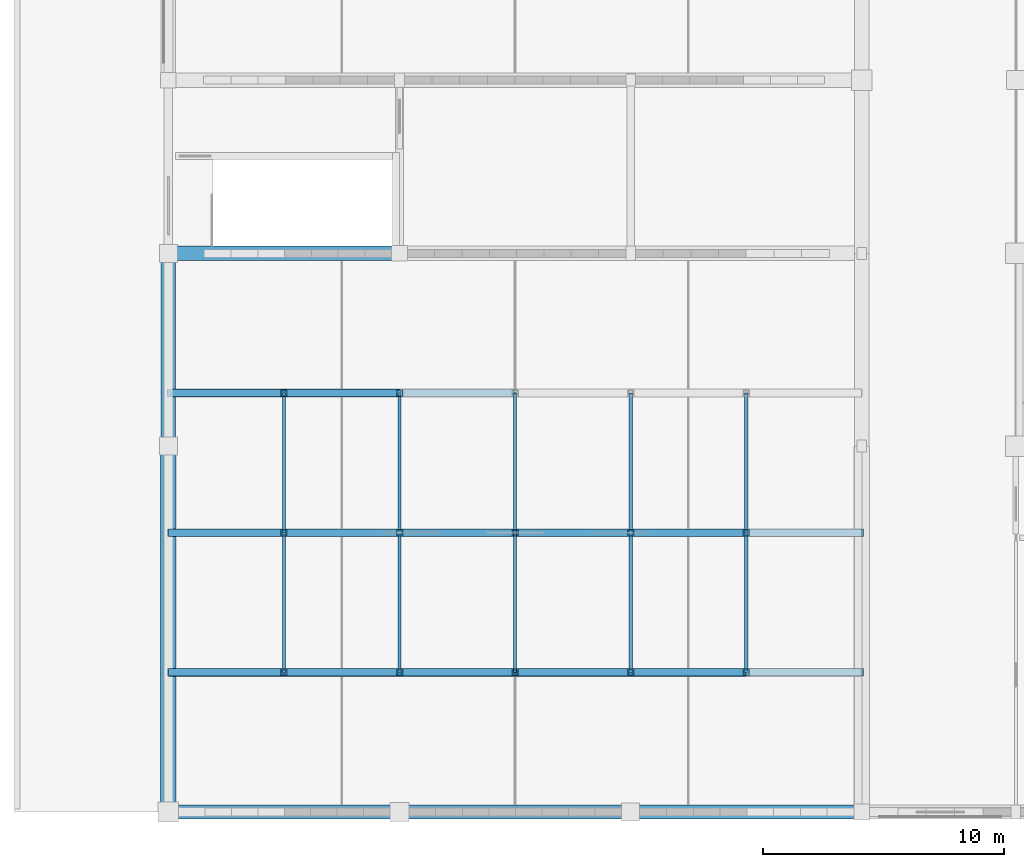
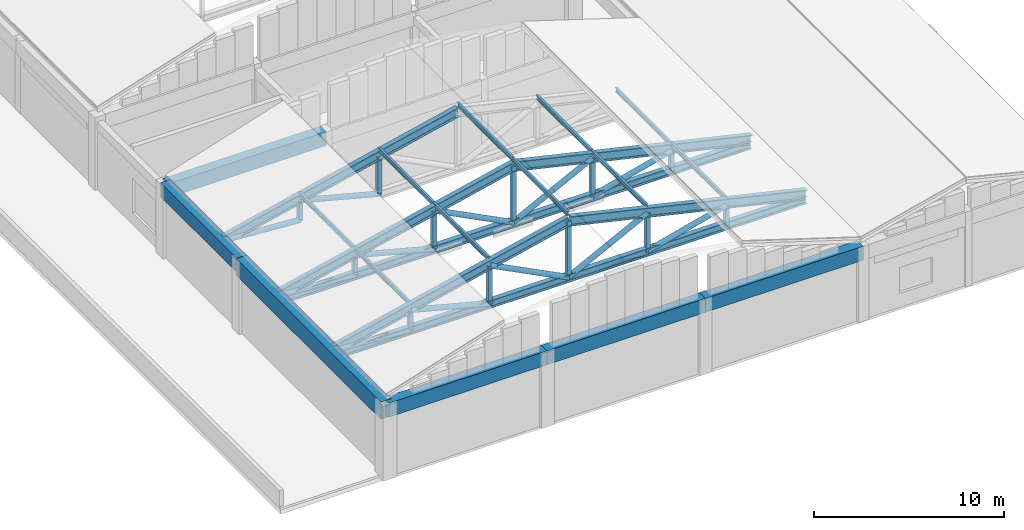
# One storey, part 3 of 61: 41 members, 6 beams.
"""IFC4 building model written with IfcOpenShell, lengths in metres."""

from ifc_helpers import new_model, si_unit, direction, frame, origin, origin_2d, place, context, subcontext, project, spatial, rectangle, hollow_rectangle, hollow_circle, i_section, extrude, material, material_profile, profile_set, type_object, element, save


model = new_model("IFC4")

# Units and contexts
model_context = context("Model", 3, precision=1e-05, world=origin(), true_north=direction((0.0, 1.0)))
body_context = subcontext(model_context, "Body", "Model", "MODEL_VIEW")
ifc_project = project(units=[si_unit("LENGTHUNIT", "METRE"), si_unit("AREAUNIT", "SQUARE_METRE"), si_unit("VOLUMEUNIT", "CUBIC_METRE"), si_unit("PLANEANGLEUNIT", "RADIAN"), si_unit("MASSUNIT", "GRAM", prefix="KILO")], contexts=[model_context])

# Site, building, storey
site_placement = place(None, origin())
site = spatial("IfcSite", under=ifc_project, at=site_placement, CompositionType="ELEMENT")
building_placement = place(site_placement, origin())
building = spatial("IfcBuilding", under=site, at=building_placement, Name="Vellmiral Cinema and Media Centre", CompositionType="ELEMENT")
storey_placement = place(building_placement, frame((0.0, 0.0, 10.800048828125)))
storey = spatial("IfcBuildingStorey", under=building, at=storey_placement, Name="L02", CompositionType="ELEMENT", Elevation=10.800048828125)

# Members
ifc_material_1 = material(Name="Steel S355", Category="steel")
ifc_material_profile_1 = material_profile(ifc_material_1, i_section(OverallWidth=0.135009765625, OverallDepth=0.27001953125, WebThickness=0.006591796875, FlangeThickness=0.01025390625, FilletRadius=0.014892578125, at=origin_2d()), Name="IPE 270")
ifc_profile_set_1 = profile_set([ifc_material_profile_1], Name="Steel S355")
member_type_1 = type_object("IfcMemberType", Name="PRL-IPE270", PredefinedType="PURLIN", material=ifc_profile_set_1)
member_1_placement = place(storey_placement, frame((11.199951171875, 18.60009765625, 5.82666015625), z_axis=(0.0, 1.0, 0.0), x_axis=(-1.0, 0.0, 0.0)))
element("IfcMember", 1, at=member_1_placement, inside=storey, type_object=member_type_1, Name="Roof Purlin 1.1.1", PredefinedType="PURLIN", context=body_context, shape_type="SweptSolid", body=[
    extrude(i_section(OverallWidth=0.135009765625, OverallDepth=0.27001953125, WebThickness=0.006591796875, FlangeThickness=0.01025390625, FilletRadius=0.014892578125, at=origin_2d()), origin(), (0.0, 0.0, 1.0), 5.7998046875),
])
member_2_placement = place(storey_placement, frame((11.199951171875, 24.39990234375, 5.82666015625), z_axis=(0.0, 1.0, 0.0), x_axis=(-1.0, 0.0, 0.0)))
element("IfcMember", 2, at=member_2_placement, inside=storey, type_object=member_type_1, Name="Roof Purlin 1.1.2", PredefinedType="PURLIN", context=body_context, shape_type="SweptSolid", body=[
    extrude(i_section(OverallWidth=0.135009765625, OverallDepth=0.27001953125, WebThickness=0.006591796875, FlangeThickness=0.01025390625, FilletRadius=0.014892578125, at=origin_2d()), origin(), (0.0, 0.0, 1.0), 5.800048828125),
])
member_3_placement = place(storey_placement, frame((16.0, 18.60009765625, 7.0234375), z_axis=(0.0, 1.0, 0.0), x_axis=(-1.0, 0.0, 0.0)))
element("IfcMember", 3, at=member_3_placement, inside=storey, type_object=member_type_1, Name="Roof Purlin 1.2.1", PredefinedType="PURLIN", context=body_context, shape_type="SweptSolid", body=[
    extrude(i_section(OverallWidth=0.135009765625, OverallDepth=0.27001953125, WebThickness=0.006591796875, FlangeThickness=0.01025390625, FilletRadius=0.014892578125, at=origin_2d()), origin(), (0.0, 0.0, 1.0), 5.7998046875),
])
member_4_placement = place(storey_placement, frame((16.0, 24.39990234375, 7.0234375), z_axis=(0.0, 1.0, 0.0), x_axis=(-1.0, 0.0, 0.0)))
element("IfcMember", 4, at=member_4_placement, inside=storey, type_object=member_type_1, Name="Roof Purlin 1.2.2", PredefinedType="PURLIN", context=body_context, shape_type="SweptSolid", body=[
    extrude(i_section(OverallWidth=0.135009765625, OverallDepth=0.27001953125, WebThickness=0.006591796875, FlangeThickness=0.01025390625, FilletRadius=0.014892578125, at=origin_2d()), origin(), (0.0, 0.0, 1.0), 5.800048828125),
])
member_5_placement = place(storey_placement, frame((20.800048828125, 18.60009765625, 8.22021484375), z_axis=(0.0, 1.0, 0.0), x_axis=(-1.0, 0.0, 0.0)))
element("IfcMember", 5, at=member_5_placement, inside=storey, type_object=member_type_1, Name="Roof Purlin 1.3.1", PredefinedType="PURLIN", context=body_context, shape_type="SweptSolid", body=[
    extrude(i_section(OverallWidth=0.135009765625, OverallDepth=0.27001953125, WebThickness=0.006591796875, FlangeThickness=0.01025390625, FilletRadius=0.014892578125, at=origin_2d()), origin(), (0.0, 0.0, 1.0), 5.7998046875),
])
member_6_placement = place(storey_placement, frame((20.800048828125, 24.39990234375, 8.22021484375), z_axis=(0.0, 1.0, 0.0), x_axis=(-1.0, 0.0, 0.0)))
element("IfcMember", 6, at=member_6_placement, inside=storey, type_object=member_type_1, Name="Roof Purlin 1.3.2", PredefinedType="PURLIN", context=body_context, shape_type="SweptSolid", body=[
    extrude(i_section(OverallWidth=0.135009765625, OverallDepth=0.27001953125, WebThickness=0.006591796875, FlangeThickness=0.01025390625, FilletRadius=0.014892578125, at=origin_2d()), origin(), (0.0, 0.0, 1.0), 5.800048828125),
])
member_7_placement = place(storey_placement, frame((25.60009765625, 18.60009765625, 7.0234375), z_axis=(0.0, 1.0, 0.0), x_axis=(-1.0, 0.0, 0.0)))
element("IfcMember", 7, at=member_7_placement, inside=storey, type_object=member_type_1, Name="Roof Purlin 1.4.1", PredefinedType="PURLIN", context=body_context, shape_type="SweptSolid", body=[
    extrude(i_section(OverallWidth=0.135009765625, OverallDepth=0.27001953125, WebThickness=0.006591796875, FlangeThickness=0.01025390625, FilletRadius=0.014892578125, at=origin_2d()), origin(), (0.0, 0.0, 1.0), 5.7998046875),
])
member_8_placement = place(storey_placement, frame((25.60009765625, 24.39990234375, 7.0234375), z_axis=(0.0, 1.0, 0.0), x_axis=(-1.0, 0.0, 0.0)))
element("IfcMember", 8, at=member_8_placement, inside=storey, type_object=member_type_1, Name="Roof Purlin 1.4.2", PredefinedType="PURLIN", context=body_context, shape_type="SweptSolid", body=[
    extrude(i_section(OverallWidth=0.135009765625, OverallDepth=0.27001953125, WebThickness=0.006591796875, FlangeThickness=0.01025390625, FilletRadius=0.014892578125, at=origin_2d()), origin(), (0.0, 0.0, 1.0), 5.800048828125),
])
member_9_placement = place(storey_placement, frame((30.39990234375, 18.60009765625, 5.82666015625), z_axis=(0.0, 1.0, 0.0), x_axis=(-1.0, 0.0, 0.0)))
element("IfcMember", 9, at=member_9_placement, inside=storey, type_object=member_type_1, Name="Roof Purlin 1.5.1", PredefinedType="PURLIN", context=body_context, shape_type="SweptSolid", body=[
    extrude(i_section(OverallWidth=0.135009765625, OverallDepth=0.27001953125, WebThickness=0.006591796875, FlangeThickness=0.01025390625, FilletRadius=0.014892578125, at=origin_2d()), origin(), (0.0, 0.0, 1.0), 5.7998046875),
])
member_10_placement = place(storey_placement, frame((30.39990234375, 24.39990234375, 5.82666015625), z_axis=(0.0, 1.0, 0.0), x_axis=(-1.0, 0.0, 0.0)))
element("IfcMember", 10, at=member_10_placement, inside=storey, type_object=member_type_1, Name="Roof Purlin 1.5.2", PredefinedType="PURLIN", context=body_context, shape_type="SweptSolid", body=[
    extrude(i_section(OverallWidth=0.135009765625, OverallDepth=0.27001953125, WebThickness=0.006591796875, FlangeThickness=0.01025390625, FilletRadius=0.014892578125, at=origin_2d()), origin(), (0.0, 0.0, 1.0), 5.800048828125),
])

# Beams
ifc_material_2 = material(Name="Concrete C40/50", Category="concrete")
ifc_material_profile_2 = material_profile(ifc_material_2, rectangle(XDim=0.60009765625, YDim=0.89990234375, at=origin_2d()), Name="RC 600x900")
ifc_profile_set_2 = profile_set([ifc_material_profile_2], Name="Concrete C40/50")
beam_type_1 = type_object("IfcBeamType", Name="RING-BM-600x900", PredefinedType="BEAM", material=ifc_profile_set_2)
for number, where, z_axis, x_axis, name in (
    (11, (6.39990234375, 12.800048828125, 4.349853515625), (1.0, 0.0, 0.0), (0.0, 1.0, 0.0), "Cinema Screen 1 Ring Beam 01"),
    (12, (16.0, 12.800048828125, 4.349853515625), (1.0, 0.0, 0.0), (0.0, 1.0, 0.0), "Cinema Screen 1 Ring Beam 02"),
):
    element("IfcBeam", number, at=place(storey_placement, frame(where, z_axis=z_axis, x_axis=x_axis)), inside=storey, type_object=beam_type_1, Name=name, PredefinedType="BEAM", context=body_context, shape_type="SweptSolid", body=[
        extrude(rectangle(XDim=0.60009765625, YDim=0.89990234375, at=origin_2d()), origin(), (0.0, 0.0, 1.0), 9.60009765625),
    ])
beam_1_placement = place(storey_placement, frame((25.60009765625, 12.800048828125, 4.349853515625), z_axis=(1.0, 0.0, 0.0), x_axis=(0.0, 1.0, 0.0)))
element("IfcBeam", 13, at=beam_1_placement, inside=storey, type_object=beam_type_1, Name="Cinema Screen 1 Ring Beam 03", PredefinedType="BEAM", context=body_context, shape_type="SweptSolid", body=[
    extrude(rectangle(XDim=0.60009765625, YDim=0.89990234375, at=origin_2d()), origin(), (0.0, 0.0, 1.0), 9.599853515625),
])
beam_2_placement = place(storey_placement, frame((6.39990234375, 36.0, 4.349853515625), z_axis=(1.0, 0.0, 0.0), x_axis=(0.0, 1.0, 0.0)))
element("IfcBeam", 14, at=beam_2_placement, inside=storey, type_object=beam_type_1, Name="Cinema Screen 1 Ring Beam 04", PredefinedType="BEAM", context=body_context, shape_type="SweptSolid", body=[
    extrude(rectangle(XDim=0.60009765625, YDim=0.89990234375, at=origin_2d()), origin(), (0.0, 0.0, 1.0), 9.60009765625),
])
beam_3_placement = place(storey_placement, frame((6.39990234375, 28.0, 4.349853515625), z_axis=(0.0, 1.0, 0.0), x_axis=(-1.0, 0.0, 0.0)))
element("IfcBeam", 15, at=beam_3_placement, inside=storey, type_object=beam_type_1, Name="Cinema Screen 1 Ring Beam 08", PredefinedType="BEAM", context=body_context, shape_type="SweptSolid", body=[
    extrude(rectangle(XDim=0.60009765625, YDim=0.89990234375, at=origin_2d()), origin(), (0.0, 0.0, 1.0), 8.0),
])
ifc_material_3 = material(Name="Concrete C40/50", Category="concrete")
ifc_material_profile_3 = material_profile(ifc_material_3, rectangle(XDim=0.64990234375, YDim=1.10009765625, at=origin_2d()), Name="RC 650x1100")
ifc_profile_set_3 = profile_set([ifc_material_profile_3], Name="Concrete C40/50")
beam_type_2 = type_object("IfcBeamType", Name="RING-BMG-650x1100", PredefinedType="BEAM", material=ifc_profile_set_3)
beam_4_placement = place(storey_placement, frame((6.39990234375, 12.800048828125, 4.25), z_axis=(0.0, 1.0, 0.0), x_axis=(-1.0, 0.0, 0.0)))
element("IfcBeam", 16, at=beam_4_placement, inside=storey, type_object=beam_type_2, Name="Cinema Screen 1 Ring Beam 07", PredefinedType="BEAM", context=body_context, shape_type="SweptSolid", body=[
    extrude(rectangle(XDim=0.64990234375, YDim=1.10009765625, at=origin_2d()), origin(), (0.0, 0.0, 1.0), 15.199951171875),
])

# Members
ifc_material_4 = material(Name="Steel S355", Category="steel")
ifc_material_profile_4 = material_profile(ifc_material_4, hollow_circle(Radius=0.161865234375, WallThickness=0.012451171875, at=origin_2d()), Name="CHS 323.9x12.5")
ifc_profile_set_4 = profile_set([ifc_material_profile_4], Name="Steel S355")
member_type_2 = type_object("IfcMemberType", Name="TBR-CHS324", PredefinedType="BRACE", material=ifc_profile_set_4)
member_11_placement = place(storey_placement, frame((6.39990234375, 18.60009765625, 4.469970703125), z_axis=(0.997784259546, 0.0, -0.066532483814), x_axis=(0.0, 1.0, 0.0)))
element("IfcMember", 17, at=member_11_placement, inside=storey, type_object=member_type_2, Name="Roof Truss TR-01.1 Diagonal 1", PredefinedType="BRACE", context=body_context, shape_type="SweptSolid", body=[
    extrude(hollow_circle(Radius=0.161865234375, WallThickness=0.012451171875, at=origin_2d()), origin(), (0.0, 0.0, 1.0), 4.810791015625),
])
member_12_placement = place(storey_placement, frame((11.199951171875, 18.60009765625, 5.40185546875), z_axis=(0.967628769561, 0.0, -0.252377820574), x_axis=(0.0, 1.0, 0.0)))
element("IfcMember", 18, at=member_12_placement, inside=storey, type_object=member_type_2, Name="Roof Truss TR-01.1 Diagonal 2", PredefinedType="BRACE", context=body_context, shape_type="SweptSolid", body=[
    extrude(hollow_circle(Radius=0.161865234375, WallThickness=0.012451171875, at=origin_2d()), origin(), (0.0, 0.0, 1.0), 4.960693359375),
])
for number, where, z_axis, x_axis, name in (
    (19, (16.0, 18.60009765625, 6.598388671875), (0.890800795993, 0.0, -0.454394038097), (0.0, 1.0, 0.0), "Roof Truss TR-01.1 Diagonal 3"),
    (20, (20.800048828125, 18.60009765625, 4.14990234375), (0.890800795993, 0.0, 0.454394038097), (0.0, 1.0, 0.0), "Roof Truss TR-01.1 Diagonal 4"),
):
    element("IfcMember", number, at=place(storey_placement, frame(where, z_axis=z_axis, x_axis=x_axis)), inside=storey, type_object=member_type_2, Name=name, PredefinedType="BRACE", context=body_context, shape_type="SweptSolid", body=[
        extrude(hollow_circle(Radius=0.161865234375, WallThickness=0.012451171875, at=origin_2d()), origin(), (0.0, 0.0, 1.0), 5.388427734375),
    ])
member_13_placement = place(storey_placement, frame((25.60009765625, 18.60009765625, 4.14990234375), z_axis=(0.967625634568, 0.0, 0.252389839983), x_axis=(0.0, 1.0, 0.0)))
element("IfcMember", 21, at=member_13_placement, inside=storey, type_object=member_type_2, Name="Roof Truss TR-01.1 Diagonal 5", PredefinedType="BRACE", context=body_context, shape_type="SweptSolid", body=[
    extrude(hollow_circle(Radius=0.161865234375, WallThickness=0.012451171875, at=origin_2d()), origin(), (0.0, 0.0, 1.0), 4.96044921875),
])
member_14_placement = place(storey_placement, frame((6.39990234375, 24.39990234375, 4.469970703125), z_axis=(0.997784259546, 0.0, -0.066532483814), x_axis=(0.0, 1.0, 0.0)))
element("IfcMember", 22, at=member_14_placement, inside=storey, type_object=member_type_2, Name="Roof Truss TR-01.2 Diagonal 1", PredefinedType="BRACE", context=body_context, shape_type="SweptSolid", body=[
    extrude(hollow_circle(Radius=0.161865234375, WallThickness=0.012451171875, at=origin_2d()), origin(), (0.0, 0.0, 1.0), 4.810791015625),
])
member_15_placement = place(storey_placement, frame((11.199951171875, 24.39990234375, 5.40185546875), z_axis=(0.967628769561, 0.0, -0.252377820574), x_axis=(0.0, 1.0, 0.0)))
element("IfcMember", 23, at=member_15_placement, inside=storey, type_object=member_type_2, Name="Roof Truss TR-01.2 Diagonal 2", PredefinedType="BRACE", context=body_context, shape_type="SweptSolid", body=[
    extrude(hollow_circle(Radius=0.161865234375, WallThickness=0.012451171875, at=origin_2d()), origin(), (0.0, 0.0, 1.0), 4.960693359375),
])
for number, where, z_axis, x_axis, name in (
    (24, (16.0, 24.39990234375, 6.598388671875), (0.890800795993, 0.0, -0.454394038097), (0.0, 1.0, 0.0), "Roof Truss TR-01.2 Diagonal 3"),
    (25, (20.800048828125, 24.39990234375, 4.14990234375), (0.890800795993, 0.0, 0.454394038097), (0.0, 1.0, 0.0), "Roof Truss TR-01.2 Diagonal 4"),
):
    element("IfcMember", number, at=place(storey_placement, frame(where, z_axis=z_axis, x_axis=x_axis)), inside=storey, type_object=member_type_2, Name=name, PredefinedType="BRACE", context=body_context, shape_type="SweptSolid", body=[
        extrude(hollow_circle(Radius=0.161865234375, WallThickness=0.012451171875, at=origin_2d()), origin(), (0.0, 0.0, 1.0), 5.388427734375),
    ])
member_16_placement = place(storey_placement, frame((25.60009765625, 24.39990234375, 4.14990234375), z_axis=(0.967625634568, 0.0, 0.252389839983), x_axis=(0.0, 1.0, 0.0)))
element("IfcMember", 26, at=member_16_placement, inside=storey, type_object=member_type_2, Name="Roof Truss TR-01.2 Diagonal 5", PredefinedType="BRACE", context=body_context, shape_type="SweptSolid", body=[
    extrude(hollow_circle(Radius=0.161865234375, WallThickness=0.012451171875, at=origin_2d()), origin(), (0.0, 0.0, 1.0), 4.96044921875),
])
member_17_placement = place(storey_placement, frame((6.39990234375, 30.199951171875, 4.469970703125), z_axis=(0.997784259546, 0.0, -0.066532483814), x_axis=(0.0, 1.0, 0.0)))
element("IfcMember", 27, at=member_17_placement, inside=storey, type_object=member_type_2, Name="Roof Truss TR-01.3 Diagonal 1", PredefinedType="BRACE", context=body_context, shape_type="SweptSolid", body=[
    extrude(hollow_circle(Radius=0.161865234375, WallThickness=0.012451171875, at=origin_2d()), origin(), (0.0, 0.0, 1.0), 4.810791015625),
])
member_18_placement = place(storey_placement, frame((11.199951171875, 30.199951171875, 5.40185546875), z_axis=(0.967628769561, 0.0, -0.252377820574), x_axis=(0.0, 1.0, 0.0)))
element("IfcMember", 28, at=member_18_placement, inside=storey, type_object=member_type_2, Name="Roof Truss TR-01.3 Diagonal 2", PredefinedType="BRACE", context=body_context, shape_type="SweptSolid", body=[
    extrude(hollow_circle(Radius=0.161865234375, WallThickness=0.012451171875, at=origin_2d()), origin(), (0.0, 0.0, 1.0), 4.960693359375),
])
ifc_material_5 = material(Name="Steel S355", Category="steel")
ifc_material_profile_5 = material_profile(ifc_material_5, hollow_rectangle(XDim=0.25, YDim=0.25, WallThickness=0.012451171875, at=origin_2d()), Name="SHS 250x250x12.5")
ifc_profile_set_5 = profile_set([ifc_material_profile_5], Name="Steel S355")
member_type_3 = type_object("IfcMemberType", Name="TBR-SHS250", PredefinedType="BRACE", material=ifc_profile_set_5)
member_19_placement = place(storey_placement, frame((11.199951171875, 18.60009765625, 4.14990234375), z_axis=(0.0, 0.0, 1.0), x_axis=(1.0, 0.0, 0.0)))
element("IfcMember", 29, at=member_19_placement, inside=storey, type_object=member_type_3, Name="Roof Truss TR-01.1 Post 1", PredefinedType="BRACE", context=body_context, shape_type="SweptSolid", body=[
    extrude(hollow_rectangle(XDim=0.25, YDim=0.25, WallThickness=0.012451171875, at=origin_2d()), origin(), (0.0, 0.0, 1.0), 1.251953125),
])
member_20_placement = place(storey_placement, frame((16.0, 18.60009765625, 4.14990234375), z_axis=(0.0, 0.0, 1.0), x_axis=(1.0, 0.0, 0.0)))
element("IfcMember", 30, at=member_20_placement, inside=storey, type_object=member_type_3, Name="Roof Truss TR-01.1 Post 2", PredefinedType="BRACE", context=body_context, shape_type="SweptSolid", body=[
    extrude(hollow_rectangle(XDim=0.25, YDim=0.25, WallThickness=0.012451171875, at=origin_2d()), origin(), (0.0, 0.0, 1.0), 2.448486328125),
])
member_21_placement = place(storey_placement, frame((20.800048828125, 18.60009765625, 4.14990234375), z_axis=(0.0, 0.0, 1.0), x_axis=(1.0, 0.0, 0.0)))
element("IfcMember", 31, at=member_21_placement, inside=storey, type_object=member_type_3, Name="Roof Truss TR-01.1 Post 3", PredefinedType="BRACE", context=body_context, shape_type="SweptSolid", body=[
    extrude(hollow_rectangle(XDim=0.25, YDim=0.25, WallThickness=0.012451171875, at=origin_2d()), origin(), (0.0, 0.0, 1.0), 3.645263671875),
])
member_22_placement = place(storey_placement, frame((25.60009765625, 18.60009765625, 4.14990234375), z_axis=(0.0, 0.0, 1.0), x_axis=(1.0, 0.0, 0.0)))
element("IfcMember", 32, at=member_22_placement, inside=storey, type_object=member_type_3, Name="Roof Truss TR-01.1 Post 4", PredefinedType="BRACE", context=body_context, shape_type="SweptSolid", body=[
    extrude(hollow_rectangle(XDim=0.25, YDim=0.25, WallThickness=0.012451171875, at=origin_2d()), origin(), (0.0, 0.0, 1.0), 2.448486328125),
])
for number, where, z_axis, x_axis, name in (
    (33, (30.39990234375, 18.60009765625, 4.14990234375), (0.0, 0.0, 1.0), (1.0, 0.0, 0.0), "Roof Truss TR-01.1 Post 5"),
    (34, (11.199951171875, 24.39990234375, 4.14990234375), (0.0, 0.0, 1.0), (1.0, 0.0, 0.0), "Roof Truss TR-01.2 Post 1"),
):
    element("IfcMember", number, at=place(storey_placement, frame(where, z_axis=z_axis, x_axis=x_axis)), inside=storey, type_object=member_type_3, Name=name, PredefinedType="BRACE", context=body_context, shape_type="SweptSolid", body=[
        extrude(hollow_rectangle(XDim=0.25, YDim=0.25, WallThickness=0.012451171875, at=origin_2d()), origin(), (0.0, 0.0, 1.0), 1.251953125),
    ])
member_23_placement = place(storey_placement, frame((16.0, 24.39990234375, 4.14990234375), z_axis=(0.0, 0.0, 1.0), x_axis=(1.0, 0.0, 0.0)))
element("IfcMember", 35, at=member_23_placement, inside=storey, type_object=member_type_3, Name="Roof Truss TR-01.2 Post 2", PredefinedType="BRACE", context=body_context, shape_type="SweptSolid", body=[
    extrude(hollow_rectangle(XDim=0.25, YDim=0.25, WallThickness=0.012451171875, at=origin_2d()), origin(), (0.0, 0.0, 1.0), 2.448486328125),
])
member_24_placement = place(storey_placement, frame((20.800048828125, 24.39990234375, 4.14990234375), z_axis=(0.0, 0.0, 1.0), x_axis=(1.0, 0.0, 0.0)))
element("IfcMember", 36, at=member_24_placement, inside=storey, type_object=member_type_3, Name="Roof Truss TR-01.2 Post 3", PredefinedType="BRACE", context=body_context, shape_type="SweptSolid", body=[
    extrude(hollow_rectangle(XDim=0.25, YDim=0.25, WallThickness=0.012451171875, at=origin_2d()), origin(), (0.0, 0.0, 1.0), 3.645263671875),
])
member_25_placement = place(storey_placement, frame((25.60009765625, 24.39990234375, 4.14990234375), z_axis=(0.0, 0.0, 1.0), x_axis=(1.0, 0.0, 0.0)))
element("IfcMember", 37, at=member_25_placement, inside=storey, type_object=member_type_3, Name="Roof Truss TR-01.2 Post 4", PredefinedType="BRACE", context=body_context, shape_type="SweptSolid", body=[
    extrude(hollow_rectangle(XDim=0.25, YDim=0.25, WallThickness=0.012451171875, at=origin_2d()), origin(), (0.0, 0.0, 1.0), 2.448486328125),
])
for number, where, z_axis, x_axis, name in (
    (38, (30.39990234375, 24.39990234375, 4.14990234375), (0.0, 0.0, 1.0), (1.0, 0.0, 0.0), "Roof Truss TR-01.2 Post 5"),
    (39, (11.199951171875, 30.199951171875, 4.14990234375), (0.0, 0.0, 1.0), (1.0, 0.0, 0.0), "Roof Truss TR-01.3 Post 1"),
):
    element("IfcMember", number, at=place(storey_placement, frame(where, z_axis=z_axis, x_axis=x_axis)), inside=storey, type_object=member_type_3, Name=name, PredefinedType="BRACE", context=body_context, shape_type="SweptSolid", body=[
        extrude(hollow_rectangle(XDim=0.25, YDim=0.25, WallThickness=0.012451171875, at=origin_2d()), origin(), (0.0, 0.0, 1.0), 1.251953125),
    ])
member_26_placement = place(storey_placement, frame((16.0, 30.199951171875, 4.14990234375), z_axis=(0.0, 0.0, 1.0), x_axis=(1.0, 0.0, 0.0)))
element("IfcMember", 40, at=member_26_placement, inside=storey, type_object=member_type_3, Name="Roof Truss TR-01.3 Post 2", PredefinedType="BRACE", context=body_context, shape_type="SweptSolid", body=[
    extrude(hollow_rectangle(XDim=0.25, YDim=0.25, WallThickness=0.012451171875, at=origin_2d()), origin(), (0.0, 0.0, 1.0), 2.448486328125),
])
ifc_material_6 = material(Name="Steel S355", Category="steel")
ifc_material_profile_6 = material_profile(ifc_material_6, i_section(OverallWidth=0.300048828125, OverallDepth=0.5, WebThickness=0.014404296875, FlangeThickness=0.028076171875, FilletRadius=0.027099609375, at=origin_2d()), Name="HEB 500")
ifc_profile_set_6 = profile_set([ifc_material_profile_6], Name="Steel S355")
member_type_4 = type_object("IfcMemberType", Name="TCH-HEB500", PredefinedType="CHORD", material=ifc_profile_set_6)
for number, where, z_axis, x_axis, name in (
    (41, (6.39990234375, 18.60009765625, 4.14990234375), (1.0, 0.0, 0.0), (0.0, 1.0, 0.0), "Roof Truss TR-01.1 Bottom Chord"),
    (42, (6.39990234375, 24.39990234375, 4.14990234375), (1.0, 0.0, 0.0), (0.0, 1.0, 0.0), "Roof Truss TR-01.2 Bottom Chord"),
):
    element("IfcMember", number, at=place(storey_placement, frame(where, z_axis=z_axis, x_axis=x_axis)), inside=storey, type_object=member_type_4, Name=name, PredefinedType="CHORD", context=body_context, shape_type="SweptSolid", body=[
        extrude(i_section(OverallWidth=0.300048828125, OverallDepth=0.5, WebThickness=0.014404296875, FlangeThickness=0.028076171875, FilletRadius=0.027099609375, at=origin_2d()), origin(), (0.0, 0.0, 1.0), 28.800048828125),
    ])
ifc_material_7 = material(Name="Steel S355", Category="steel")
ifc_material_profile_7 = material_profile(ifc_material_7, i_section(OverallWidth=0.300048828125, OverallDepth=0.60009765625, WebThickness=0.015380859375, FlangeThickness=0.030029296875, FilletRadius=0.027099609375, at=origin_2d()), Name="HEB 600")
ifc_profile_set_7 = profile_set([ifc_material_profile_7], Name="Steel S355")
member_type_5 = type_object("IfcMemberType", Name="TCH-HEB600", PredefinedType="CHORD", material=ifc_profile_set_7)
member_27_placement = place(storey_placement, frame((6.39990234375, 18.60009765625, 4.469970703125), z_axis=(0.974360282332, 0.0, 0.224993422602), x_axis=(0.0, 1.0, 0.0)))
element("IfcMember", 43, at=member_27_placement, inside=storey, type_object=member_type_5, Name="Roof Truss TR-01.1 Top Chord W", PredefinedType="CHORD", context=body_context, shape_type="SweptSolid", body=[
    extrude(i_section(OverallWidth=0.300048828125, OverallDepth=0.60009765625, WebThickness=0.015380859375, FlangeThickness=0.030029296875, FilletRadius=0.027099609375, at=origin_2d()), origin(), (0.0, 0.0, 1.0), 14.779052734375),
])
member_28_placement = place(storey_placement, frame((20.800048828125, 18.60009765625, 7.795166015625), z_axis=(0.974359446069, 0.0, -0.224997044106), x_axis=(0.0, 1.0, 0.0)))
element("IfcMember", 44, at=member_28_placement, inside=storey, type_object=member_type_5, Name="Roof Truss TR-01.1 Top Chord E", PredefinedType="CHORD", context=body_context, shape_type="SweptSolid", body=[
    extrude(i_section(OverallWidth=0.300048828125, OverallDepth=0.60009765625, WebThickness=0.015380859375, FlangeThickness=0.030029296875, FilletRadius=0.027099609375, at=origin_2d()), origin(), (0.0, 0.0, 1.0), 14.77880859375),
])
member_29_placement = place(storey_placement, frame((6.39990234375, 24.39990234375, 4.469970703125), z_axis=(0.974360282332, 0.0, 0.224993422602), x_axis=(0.0, 1.0, 0.0)))
element("IfcMember", 45, at=member_29_placement, inside=storey, type_object=member_type_5, Name="Roof Truss TR-01.2 Top Chord W", PredefinedType="CHORD", context=body_context, shape_type="SweptSolid", body=[
    extrude(i_section(OverallWidth=0.300048828125, OverallDepth=0.60009765625, WebThickness=0.015380859375, FlangeThickness=0.030029296875, FilletRadius=0.027099609375, at=origin_2d()), origin(), (0.0, 0.0, 1.0), 14.779052734375),
])
member_30_placement = place(storey_placement, frame((20.800048828125, 24.39990234375, 7.795166015625), z_axis=(0.974359446069, 0.0, -0.224997044106), x_axis=(0.0, 1.0, 0.0)))
element("IfcMember", 46, at=member_30_placement, inside=storey, type_object=member_type_5, Name="Roof Truss TR-01.2 Top Chord E", PredefinedType="CHORD", context=body_context, shape_type="SweptSolid", body=[
    extrude(i_section(OverallWidth=0.300048828125, OverallDepth=0.60009765625, WebThickness=0.015380859375, FlangeThickness=0.030029296875, FilletRadius=0.027099609375, at=origin_2d()), origin(), (0.0, 0.0, 1.0), 14.77880859375),
])
member_31_placement = place(storey_placement, frame((6.39990234375, 30.199951171875, 4.469970703125), z_axis=(0.974360282332, 0.0, 0.224993422602), x_axis=(0.0, 1.0, 0.0)))
element("IfcMember", 47, at=member_31_placement, inside=storey, type_object=member_type_5, Name="Roof Truss TR-01.3 Top Chord W", PredefinedType="CHORD", context=body_context, shape_type="SweptSolid", body=[
    extrude(i_section(OverallWidth=0.300048828125, OverallDepth=0.60009765625, WebThickness=0.015380859375, FlangeThickness=0.030029296875, FilletRadius=0.027099609375, at=origin_2d()), origin(), (0.0, 0.0, 1.0), 14.779052734375),
])

save(model, "model.ifc")
